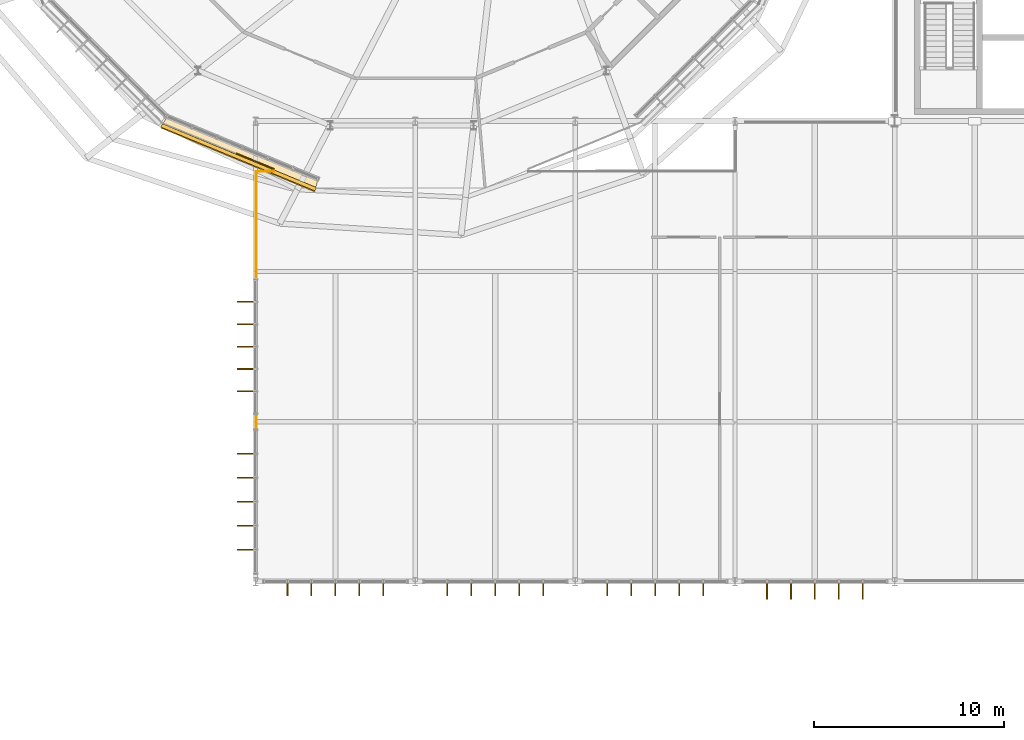
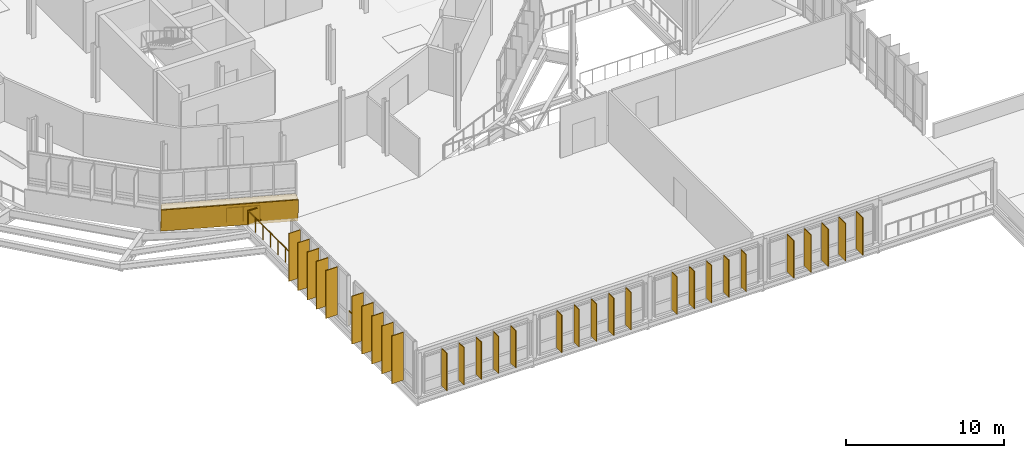
# One storey, part 96 of 107: 30 shading devices, 6 railings, 2 coverings.
"""IFC4 building model written with IfcOpenShell, lengths in metres."""

from ifc_helpers import new_model, si_unit, derived_unit, direction, frame, origin, origin_2d, place, context, subcontext, project, spatial, polyline, rectangle, circle, outline, extrude, material, layer, layer_set, type_object, element, save


model = new_model("IFC4")

# Units and contexts
model_context = context("Model", 3, precision=1e-05, world=origin(), true_north=direction((0.0, 1.0)))
body_context = subcontext(model_context, "Body", "Model", "MODEL_VIEW")
ifc_project = project(units=[si_unit("LENGTHUNIT", "METRE"), si_unit("AREAUNIT", "SQUARE_METRE"), si_unit("VOLUMEUNIT", "CUBIC_METRE"), si_unit("PLANEANGLEUNIT", "RADIAN"), si_unit("MASSUNIT", "GRAM", prefix="KILO"), derived_unit("THERMALTRANSMITTANCEUNIT", [(si_unit("MASSUNIT", "GRAM", prefix="KILO"), 1), (si_unit("TIMEUNIT", "SECOND"), -3), (si_unit("THERMODYNAMICTEMPERATUREUNIT", "KELVIN"), -1)])], contexts=[model_context])

# Site, building, storey
site_placement = place(None, origin())
site = spatial("IfcSite", under=ifc_project, at=site_placement, CompositionType="ELEMENT")
building_placement = place(site_placement, origin())
building = spatial("IfcBuilding", under=site, at=building_placement, Name="Makaiwela Harbour Ferry Terminal", CompositionType="ELEMENT")
storey_placement = place(building_placement, frame((0.0, 0.0, 9.60009765625)))
storey = spatial("IfcBuildingStorey", under=building, at=storey_placement, Name="L02", CompositionType="ELEMENT", Elevation=9.60009765625)

# Coverings
ifc_material_1 = material(Name="White glazed marine ceramic rainscreen tile", Category="masonry")
ifc_layer_1 = layer(ifc_material_1, 0.054931640625)
ifc_layer_set_1 = layer_set([ifc_layer_1], Name="White glazed marine ceramic rainscreen tile")
covering_type = type_object("IfcCoveringType", Name="ENV-CLD-CERAMIC", PredefinedType="CLADDING", material=ifc_layer_set_1)
covering_1_placement = place(storey_placement, frame((24.50390625, 49.263671875, -0.239990234375), z_axis=(0.380393939272, 0.918368568839, 0.109085391934), x_axis=(0.923881967269, -0.382677554288, -5.78392e-07)))
element("IfcCovering", 1, at=covering_1_placement, inside=storey, type_object=covering_type, Name="Ceramic Spandrel Facet CLD-0059", PredefinedType="CLADDING", context=body_context, shape_type="SweptSolid", body=[
    extrude(outline(polyline([(0.0, 0.0), (8.757662857655045, -5.551115123125783e-17), (8.757613269392435, -1.7705809811751585), (0.00017596885830439233, -1.770570789768953), (0.0, 0.0)])), origin(), (0.0, 0.0, -1.0), 0.054931640625),
])
covering_2_placement = place(storey_placement, frame((0.0, 0.0, 1.47998046875)))
element("IfcCovering", 2, at=covering_2_placement, inside=storey, type_object=covering_type, Name="Ceramic Ring Sill Cap CLD-0060", PredefinedType="CLADDING", context=body_context, shape_type="SweptSolid", body=[
    extrude(outline(polyline([(24.43017578125, 49.085205078125), (32.52099609375, 45.73388671875), (32.69140625, 46.34814453125), (24.743896484375, 49.639892578125), (24.43017578125, 49.085205078125)])), origin(), (0.0, 0.0, 1.0), 0.054931640625),
])

# Shading devices
ifc_material_2 = material(Name="Marine anodised aluminium 6063-T6", Category="aluminium")
ifc_layer_2 = layer(ifc_material_2, 0.054931640625)
ifc_layer_set_2 = layer_set([ifc_layer_2], Name="Marine anodised aluminium 6063-T6")
shading_device_type_1 = type_object("IfcShadingDeviceType", Name="ENV-FIN-650", PredefinedType="USERDEFINED", material=ifc_layer_set_2)
for number, where, z_axis, x_axis, name in (
    (3, (36.1201171875, 24.787109375, 0.14111328125), (0.0, 0.0, 1.0), (0.0, -1.0, 0.0), "Vertical Solar Fin SFN-0333"),
    (4, (34.860107421875, 24.787109375, 0.14111328125), (0.0, 0.0, 1.0), (0.0, -1.0, 0.0), "Vertical Solar Fin SFN-0334"),
    (5, (33.60009765625, 24.787109375, 0.14111328125), (0.0, 0.0, 1.0), (0.0, -1.0, 0.0), "Vertical Solar Fin SFN-0335"),
    (6, (32.340087890625, 24.787109375, 0.14111328125), (0.0, 0.0, 1.0), (0.0, -1.0, 0.0), "Vertical Solar Fin SFN-0336"),
    (7, (31.080078125, 24.787109375, 0.14111328125), (0.0, 0.0, 1.0), (0.0, -1.0, 0.0), "Vertical Solar Fin SFN-0337"),
    (8, (44.52001953125, 24.787109375, 0.14111328125), (0.0, 0.0, 1.0), (0.0, -1.0, 0.0), "Vertical Solar Fin SFN-0348"),
    (9, (43.260009765625, 24.787109375, 0.14111328125), (0.0, 0.0, 1.0), (0.0, -1.0, 0.0), "Vertical Solar Fin SFN-0349"),
    (10, (42.0, 24.787109375, 0.14111328125), (0.0, 0.0, 1.0), (0.0, -1.0, 0.0), "Vertical Solar Fin SFN-0350"),
    (11, (40.739990234375, 24.787109375, 0.14111328125), (0.0, 0.0, 1.0), (0.0, -1.0, 0.0), "Vertical Solar Fin SFN-0351"),
    (12, (39.47998046875, 24.787109375, 0.14111328125), (0.0, 0.0, 1.0), (0.0, -1.0, 0.0), "Vertical Solar Fin SFN-0352"),
    (13, (52.919921875, 24.787109375, 0.14111328125), (0.0, 0.0, 1.0), (0.0, -1.0, 0.0), "Vertical Solar Fin SFN-0363"),
    (14, (51.659912109375, 24.787109375, 0.14111328125), (0.0, 0.0, 1.0), (0.0, -1.0, 0.0), "Vertical Solar Fin SFN-0364"),
    (15, (50.39990234375, 24.787109375, 0.14111328125), (0.0, 0.0, 1.0), (0.0, -1.0, 0.0), "Vertical Solar Fin SFN-0365"),
    (16, (49.139892578125, 24.787109375, 0.14111328125), (0.0, 0.0, 1.0), (0.0, -1.0, 0.0), "Vertical Solar Fin SFN-0366"),
    (17, (47.8798828125, 24.787109375, 0.14111328125), (0.0, 0.0, 1.0), (0.0, -1.0, 0.0), "Vertical Solar Fin SFN-0367"),
):
    element("IfcShadingDevice", number, at=place(storey_placement, frame(where, z_axis=z_axis, x_axis=x_axis)), inside=storey, type_object=shading_device_type_1, Name=name, ObjectType="SOLAR FIN", PredefinedType="USERDEFINED", context=body_context, shape_type="SweptSolid", body=[
        extrude(rectangle(XDim=0.64990234375, YDim=0.054931640625, at=origin_2d()), origin(), (0.0, 0.0, 1.0), 2.889892578125),
    ])
ifc_material_3 = material(Name="Thermally modified Accoya timber and anodised aluminium", Category="wood")
ifc_layer_3 = layer(ifc_material_3, 0.06005859375)
ifc_layer_set_3 = layer_set([ifc_layer_3], Name="Thermally modified Accoya timber and anodised aluminium")
shading_device_type_2 = type_object("IfcShadingDeviceType", Name="ENV-FIN-850", PredefinedType="USERDEFINED", material=ifc_layer_set_3)
for number, where, z_axis, x_axis, name in (
    (18, (61.320068359375, 24.68701171875, 0.14111328125), (0.0, 0.0, 1.0), (0.0, -1.0, 0.0), "Vertical Solar Fin SFN-0373"),
    (19, (60.06005859375, 24.68701171875, 0.14111328125), (0.0, 0.0, 1.0), (0.0, -1.0, 0.0), "Vertical Solar Fin SFN-0374"),
    (20, (58.800048828125, 24.68701171875, 0.14111328125), (0.0, 0.0, 1.0), (0.0, -1.0, 0.0), "Vertical Solar Fin SFN-0375"),
    (21, (57.5400390625, 24.68701171875, 0.14111328125), (0.0, 0.0, 1.0), (0.0, -1.0, 0.0), "Vertical Solar Fin SFN-0376"),
    (22, (56.280029296875, 24.68701171875, 0.14111328125), (0.0, 0.0, 1.0), (0.0, -1.0, 0.0), "Vertical Solar Fin SFN-0377"),
):
    element("IfcShadingDevice", number, at=place(storey_placement, frame(where, z_axis=z_axis, x_axis=x_axis)), inside=storey, type_object=shading_device_type_2, Name=name, ObjectType="SOLAR FIN", PredefinedType="USERDEFINED", context=body_context, shape_type="SweptSolid", body=[
        extrude(rectangle(XDim=0.85009765625, YDim=0.06005859375, at=origin_2d()), origin(), (0.0, 0.0, 1.0), 2.889892578125),
    ])
for number, where, z_axis, x_axis, name in (
    (23, (28.862060546875, 26.8798828125, 0.156982421875), (0.0, 0.0, 1.0), (-1.0, 0.0, 0.0), "Vertical Solar Fin SFN-0418"),
    (24, (28.862060546875, 28.139892578125, 0.156982421875), (0.0, 0.0, 1.0), (-1.0, 0.0, 0.0), "Vertical Solar Fin SFN-0419"),
    (25, (28.862060546875, 29.39990234375, 0.156982421875), (0.0, 0.0, 1.0), (-1.0, 0.0, 0.0), "Vertical Solar Fin SFN-0420"),
    (26, (28.862060546875, 30.659912109375, 0.156982421875), (0.0, 0.0, 1.0), (-1.0, 0.0, 0.0), "Vertical Solar Fin SFN-0421"),
    (27, (28.862060546875, 31.919921875, 0.156982421875), (0.0, 0.0, 1.0), (-1.0, 0.0, 0.0), "Vertical Solar Fin SFN-0422"),
    (28, (28.862060546875, 35.19677734375, 0.156982421875), (0.0, 0.0, 1.0), (-1.0, 0.0, 0.0), "Vertical Solar Fin SFN-0433"),
    (29, (28.862060546875, 36.373291015625, 0.156982421875), (0.0, 0.0, 1.0), (-1.0, 0.0, 0.0), "Vertical Solar Fin SFN-0434"),
    (30, (28.862060546875, 37.550048828125, 0.156982421875), (0.0, 0.0, 1.0), (-1.0, 0.0, 0.0), "Vertical Solar Fin SFN-0435"),
    (31, (28.862060546875, 38.726806640625, 0.156982421875), (0.0, 0.0, 1.0), (-1.0, 0.0, 0.0), "Vertical Solar Fin SFN-0436"),
    (32, (28.862060546875, 39.9033203125, 0.156982421875), (0.0, 0.0, 1.0), (-1.0, 0.0, 0.0), "Vertical Solar Fin SFN-0437"),
):
    element("IfcShadingDevice", number, at=place(storey_placement, frame(where, z_axis=z_axis, x_axis=x_axis)), inside=storey, type_object=shading_device_type_2, Name=name, ObjectType="SOLAR FIN", PredefinedType="USERDEFINED", context=body_context, shape_type="SweptSolid", body=[
        extrude(rectangle(XDim=0.85009765625, YDim=0.06005859375, at=origin_2d()), origin(), (0.0, 0.0, 1.0), 3.68994140625),
    ])

# Railings
ifc_material_4 = material(Name="Marine grade 316L brushed stainless steel", Category="steel")
railing_type = type_object("IfcRailingType", Name="INT-RL-GRD110", PredefinedType="GUARDRAIL", material=ifc_material_4)
railing_1_placement = place(storey_placement, frame((29.445068359375, 33.179931640625, 0.0)))
element("IfcRailing", 33, at=railing_1_placement, inside=storey, type_object=railing_type, Name="Deck edge guardrail RL-0565", PredefinedType="GUARDRAIL", context=body_context, shape_type="SweptSolid", body=[
    extrude(circle(Radius=0.02392578125, at=origin_2d()), frame((0.0, 0.0, 1.09619140625), z_axis=(0.0, 1.0, 0.0), x_axis=(-1.0, 0.0, 0.0)), (0.0, 0.0, 1.0), 0.840087890625),
    extrude(circle(Radius=0.02099609375, at=origin_2d()), origin(), (0.0, 0.0, 1.0), 1.072021484375),
    extrude(circle(Radius=0.02099609375, at=origin_2d()), frame((0.0, 0.840087890625, 0.0)), (0.0, 0.0, 1.0), 1.072021484375),
])
for number, where, name in (
    (34, (29.445068359375, 41.080078125, 0.0), "Deck edge guardrail RL-0566"),
    (35, (29.445068359375, 42.9716796875, 0.0), "Deck edge guardrail RL-0567"),
    (36, (29.445068359375, 44.86328125, 0.0), "Deck edge guardrail RL-0568"),
):
    element("IfcRailing", number, at=place(storey_placement, frame(where)), inside=storey, type_object=railing_type, Name=name, PredefinedType="GUARDRAIL", context=body_context, shape_type="SweptSolid", body=[
        extrude(circle(Radius=0.02392578125, at=origin_2d()), frame((0.0, 0.0, 1.09619140625), z_axis=(0.0, 1.0, 0.0), x_axis=(-1.0, 0.0, 0.0)), (0.0, 0.0, 1.0), 1.8916015625),
        extrude(circle(Radius=0.02099609375, at=origin_2d()), origin(), (0.0, 0.0, 1.0), 1.072021484375),
        extrude(circle(Radius=0.02099609375, at=origin_2d()), frame((0.0, 0.94580078125, 0.0)), (0.0, 0.0, 1.0), 1.072021484375),
        extrude(circle(Radius=0.02099609375, at=origin_2d()), frame((0.0, 1.8916015625, 0.0)), (0.0, 0.0, 1.0), 1.072021484375),
    ])
railing_2_placement = place(storey_placement, frame((29.445068359375, 46.7548828125, 0.0)))
element("IfcRailing", 37, at=railing_2_placement, inside=storey, type_object=railing_type, Name="Deck edge guardrail RL-0569", PredefinedType="GUARDRAIL", context=body_context, shape_type="SweptSolid", body=[
    extrude(circle(Radius=0.02392578125, at=origin_2d()), frame((0.0, 0.0, 1.09619140625), z_axis=(0.999999675864, 0.000805152718, 0.0), x_axis=(-0.000805152718, 0.999999675864, 0.0)), (0.0, 0.0, 1.0), 0.90966796875),
    extrude(circle(Radius=0.02099609375, at=origin_2d()), origin(), (0.0, 0.0, 1.0), 1.072021484375),
    extrude(circle(Radius=0.02099609375, at=origin_2d()), frame((0.90966796875, 0.000732421875, 0.0)), (0.0, 0.0, 1.0), 1.072021484375),
])
railing_3_placement = place(storey_placement, frame((30.37109375, 46.880126953125, 0.0)))
element("IfcRailing", 38, at=railing_3_placement, inside=storey, type_object=railing_type, Name="Deck edge guardrail RL-0570", PredefinedType="GUARDRAIL", context=body_context, shape_type="SweptSolid", body=[
    extrude(circle(Radius=0.02392578125, at=origin_2d()), frame((0.0, 0.0, 1.09619140625), z_axis=(-0.923875148444, 0.382694016267, 0.0), x_axis=(-0.382694016267, -0.923875148444, 0.0)), (0.0, 0.0, 1.0), 2.12109375),
    extrude(circle(Radius=0.02099609375, at=origin_2d()), origin(), (0.0, 0.0, 1.0), 1.072021484375),
    extrude(circle(Radius=0.02099609375, at=origin_2d()), frame((-0.97998046875, 0.40576171875, 0.0)), (0.0, 0.0, 1.0), 1.072021484375),
    extrude(circle(Radius=0.02099609375, at=origin_2d()), frame((-1.959716796875, 0.811767578125, 0.0)), (0.0, 0.0, 1.0), 1.072021484375),
])

save(model, "model.ifc")
